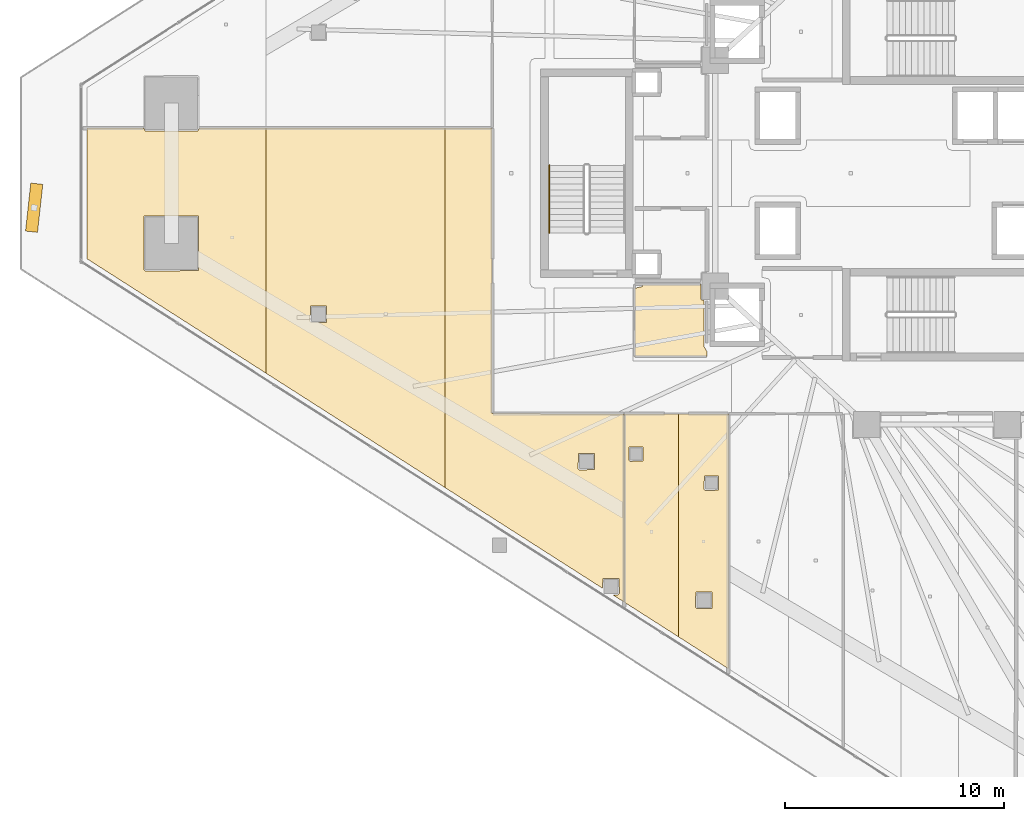
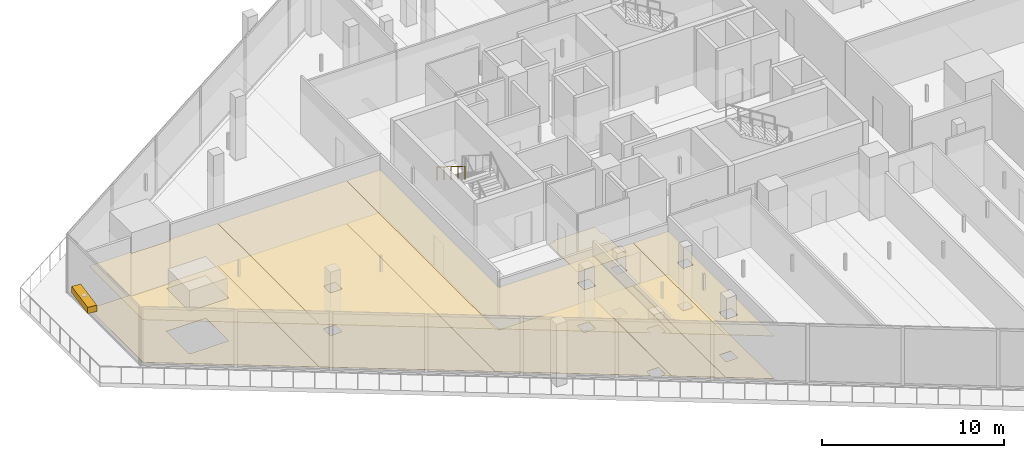
# One storey, part 36 of 44: 11 coverings, 1 railing, 1 shading device.
"""IFC4 building model written with IfcOpenShell, lengths in metres."""

from ifc_helpers import new_model, si_unit, direction, frame, origin, origin_2d, place, context, subcontext, project, spatial, polyline, rectangle, circle, outline, extrude, material, layer, layer_set, type_object, element, save


model = new_model("IFC4")

# Units and contexts
model_context = context("Model", 3, precision=1e-05, world=origin(), true_north=direction((0.0, 1.0)))
body_context = subcontext(model_context, "Body", "Model", "MODEL_VIEW")
ifc_project = project(units=[si_unit("LENGTHUNIT", "METRE"), si_unit("AREAUNIT", "SQUARE_METRE"), si_unit("VOLUMEUNIT", "CUBIC_METRE"), si_unit("PLANEANGLEUNIT", "RADIAN"), si_unit("MASSUNIT", "GRAM", prefix="KILO")], contexts=[model_context])

# Site, building, storey
site_placement = place(None, origin())
site = spatial("IfcSite", under=ifc_project, at=site_placement, CompositionType="ELEMENT")
building_placement = place(site_placement, origin())
building = spatial("IfcBuilding", under=site, at=building_placement, Name="Qorvath Tower", CompositionType="ELEMENT")
storey_placement = place(building_placement, frame((0.0, 0.0, 78.60009765625)))
storey = spatial("IfcBuildingStorey", under=building, at=storey_placement, Name="L17", CompositionType="ELEMENT", Elevation=78.60009765625)

# Coverings
ifc_material_1 = material(Name="Acoustic mineral fibre ceiling tile", Category="gypsum")
ifc_layer_1 = layer(ifc_material_1, 0.030029296875)
ifc_layer_set_1 = layer_set([ifc_layer_1], Name="COV-CEIL")
covering_type_1 = type_object("IfcCoveringType", Name="COV-CEIL", PredefinedType="CEILING", material=ifc_layer_set_1)
covering_1_placement = place(storey_placement, frame((0.0, 0.0, 2.849853515625)))
element("IfcCovering", 1, at=covering_1_placement, inside=storey, type_object=covering_type_1, Name="L17 Suspended Acoustic Ceiling 016", PredefinedType="CEILING", context=body_context, shape_type="SweptSolid", body=[
    extrude(outline(polyline([(-34.64501953125, -10.962890625), (-34.64501953125, -19.546875), (-32.163818359375, -21.132568359375), (-32.163818359375, -10.962890625), (-34.64501953125, -10.962890625)]), holes=[polyline([(-34.439208984375, -13.0673828125), (-34.421630859375, -12.47509765625), (-33.786865234375, -12.47509765625), (-33.786865234375, -13.10986328125), (-34.379150390625, -13.12744140625), (-34.439208984375, -13.0673828125)])]), origin(), (0.0, 0.0, 1.0), 0.030029296875),
])
covering_2_placement = place(storey_placement, frame((0.0, 0.0, 2.849853515625)))
element("IfcCovering", 2, at=covering_2_placement, inside=storey, type_object=covering_type_1, Name="L17 Suspended Acoustic Ceiling 017", PredefinedType="CEILING", context=body_context, shape_type="SweptSolid", body=[
    extrude(outline(polyline([(-32.163818359375, -10.962890625), (-32.163818359375, -21.132568359375), (-29.9013671875, -22.57861328125), (-29.9013671875, -10.962890625), (-32.163818359375, -10.962890625)]), holes=[polyline([(-31.01220703125, -14.3994140625), (-30.99462890625, -13.806884765625), (-30.35986328125, -13.806884765625), (-30.35986328125, -14.441650390625), (-30.9521484375, -14.459228515625), (-31.01220703125, -14.3994140625)]), polyline([(-31.401123046875, -19.785400390625), (-31.383544921875, -19.093017578125), (-30.648681640625, -19.093017578125), (-30.648681640625, -19.827880859375), (-31.341064453125, -19.845458984375), (-31.401123046875, -19.785400390625)])]), origin(), (0.0, 0.0, 1.0), 0.030029296875),
])
covering_3_placement = place(storey_placement, frame((0.0, 0.0, 2.849853515625)))
element("IfcCovering", 3, at=covering_3_placement, inside=storey, type_object=covering_type_1, Name="L17 Suspended Acoustic Ceiling 037", PredefinedType="CEILING", context=body_context, shape_type="SweptSolid", body=[
    extrude(outline(polyline([(-59.140625, 2.056884765625), (-59.140625, -3.890869140625), (-50.9814453125, -9.105712890625), (-50.9814453125, 2.056884765625), (-54.02294921875, 2.056884765625), (-54.0830078125, 1.9345703125), (-56.48291015625, 1.9345703125), (-56.54296875, 2.056884765625), (-59.140625, 2.056884765625)]), holes=[polyline([(-56.54296875, -4.39453125), (-56.525390625, -1.9521484375), (-54.04052734375, -1.9521484375), (-54.04052734375, -4.43701171875), (-56.48291015625, -4.45458984375), (-56.54296875, -4.39453125)])]), origin(), (0.0, 0.0, 1.0), 0.030029296875),
])
covering_4_placement = place(storey_placement, frame((0.0, 0.0, 2.849853515625)))
element("IfcCovering", 4, at=covering_4_placement, inside=storey, type_object=covering_type_1, Name="L17 Suspended Acoustic Ceiling 038", PredefinedType="CEILING", context=body_context, shape_type="SweptSolid", body=[
    extrude(outline(polyline([(-50.9814453125, 2.056884765625), (-50.9814453125, -9.105712890625), (-42.822265625, -14.320556640625), (-42.822265625, 2.056884765625), (-50.9814453125, 2.056884765625)]), holes=[polyline([(-48.96337890625, -6.74951171875), (-48.94580078125, -6.05712890625), (-48.2109375, -6.05712890625), (-48.2109375, -6.7919921875), (-48.9033203125, -6.8095703125), (-48.96337890625, -6.74951171875)])]), origin(), (0.0, 0.0, 1.0), 0.030029296875),
])
covering_5_placement = place(storey_placement, frame((0.0, 0.0, 2.849853515625)))
element("IfcCovering", 5, at=covering_5_placement, inside=storey, type_object=covering_type_1, Name="L17 Suspended Acoustic Ceiling 039", PredefinedType="CEILING", context=body_context, shape_type="SweptSolid", body=[
    extrude(outline(polyline([(-42.822265625, 2.056884765625), (-42.822265625, -14.320556640625), (-35.63671875, -18.9130859375), (-35.619140625, -18.4619140625), (-34.88427734375, -18.4619140625), (-34.86669921875, -19.154296875), (-34.9267578125, -19.21435546875), (-35.165283203125, -19.21435546875), (-34.6630859375, -19.535400390625), (-34.6630859375, -10.962890625), (-40.6630859375, -10.9580078125), (-40.6630859375, 2.056884765625), (-42.822265625, 2.056884765625)]), holes=[polyline([(-36.749755859375, -13.46044921875), (-36.732177734375, -12.76806640625), (-35.997314453125, -12.76806640625), (-35.997314453125, -13.5029296875), (-36.689697265625, -13.5205078125), (-36.749755859375, -13.46044921875)])]), origin(), (0.0, 0.0, 1.0), 0.030029296875),
])
ifc_material_2 = material(Name="Low-VOC modular carpet tile", Category="textile")
ifc_layer_2 = layer(ifc_material_2, 0.014892578125)
ifc_layer_set_2 = layer_set([ifc_layer_2], Name="COV-FLOOR-CPT")
covering_type_2 = type_object("IfcCoveringType", Name="COV-FLOOR-CPT", PredefinedType="FLOORING", material=ifc_layer_set_2)
covering_6_placement = place(storey_placement, origin())
element("IfcCovering", 6, at=covering_6_placement, inside=storey, type_object=covering_type_2, Name="L17 Floor Finish 016", PredefinedType="FLOORING", context=body_context, shape_type="SweptSolid", body=[
    extrude(outline(polyline([(-34.64501953125, -10.962890625), (-34.64501953125, -19.546875), (-32.163818359375, -21.132568359375), (-32.163818359375, -10.962890625), (-34.64501953125, -10.962890625)]), holes=[polyline([(-34.439208984375, -13.0673828125), (-34.421630859375, -12.47509765625), (-33.786865234375, -12.47509765625), (-33.786865234375, -13.10986328125), (-34.379150390625, -13.12744140625), (-34.439208984375, -13.0673828125)])]), origin(), (0.0, 0.0, 1.0), 0.014892578125),
])
covering_7_placement = place(storey_placement, origin())
element("IfcCovering", 7, at=covering_7_placement, inside=storey, type_object=covering_type_2, Name="L17 Floor Finish 017", PredefinedType="FLOORING", context=body_context, shape_type="SweptSolid", body=[
    extrude(outline(polyline([(-32.163818359375, -10.962890625), (-32.163818359375, -21.132568359375), (-29.9013671875, -22.57861328125), (-29.9013671875, -10.962890625), (-32.163818359375, -10.962890625)]), holes=[polyline([(-31.01220703125, -14.3994140625), (-30.99462890625, -13.806884765625), (-30.35986328125, -13.806884765625), (-30.35986328125, -14.441650390625), (-30.9521484375, -14.459228515625), (-31.01220703125, -14.3994140625)]), polyline([(-31.401123046875, -19.785400390625), (-31.383544921875, -19.093017578125), (-30.648681640625, -19.093017578125), (-30.648681640625, -19.827880859375), (-31.341064453125, -19.845458984375), (-31.401123046875, -19.785400390625)])]), origin(), (0.0, 0.0, 1.0), 0.014892578125),
])
covering_8_placement = place(storey_placement, origin())
element("IfcCovering", 8, at=covering_8_placement, inside=storey, type_object=covering_type_2, Name="L17 Floor Finish 037", PredefinedType="FLOORING", context=body_context, shape_type="SweptSolid", body=[
    extrude(outline(polyline([(-59.140625, 2.056884765625), (-59.140625, -3.890869140625), (-50.9814453125, -9.105712890625), (-50.9814453125, 2.056884765625), (-54.02294921875, 2.056884765625), (-54.0830078125, 1.9345703125), (-56.48291015625, 1.9345703125), (-56.54296875, 2.056884765625), (-59.140625, 2.056884765625)]), holes=[polyline([(-56.54296875, -4.39453125), (-56.525390625, -1.9521484375), (-54.04052734375, -1.9521484375), (-54.04052734375, -4.43701171875), (-56.48291015625, -4.45458984375), (-56.54296875, -4.39453125)])]), origin(), (0.0, 0.0, 1.0), 0.014892578125),
])
covering_9_placement = place(storey_placement, origin())
element("IfcCovering", 9, at=covering_9_placement, inside=storey, type_object=covering_type_2, Name="L17 Floor Finish 038", PredefinedType="FLOORING", context=body_context, shape_type="SweptSolid", body=[
    extrude(outline(polyline([(-50.9814453125, 2.056884765625), (-50.9814453125, -9.105712890625), (-42.822265625, -14.320556640625), (-42.822265625, 2.056884765625), (-50.9814453125, 2.056884765625)]), holes=[polyline([(-48.96337890625, -6.74951171875), (-48.94580078125, -6.05712890625), (-48.2109375, -6.05712890625), (-48.2109375, -6.7919921875), (-48.9033203125, -6.8095703125), (-48.96337890625, -6.74951171875)])]), origin(), (0.0, 0.0, 1.0), 0.014892578125),
])
covering_10_placement = place(storey_placement, origin())
element("IfcCovering", 10, at=covering_10_placement, inside=storey, type_object=covering_type_2, Name="L17 Floor Finish 039", PredefinedType="FLOORING", context=body_context, shape_type="SweptSolid", body=[
    extrude(outline(polyline([(-42.822265625, 2.056884765625), (-42.822265625, -14.320556640625), (-35.63671875, -18.9130859375), (-35.619140625, -18.4619140625), (-34.88427734375, -18.4619140625), (-34.86669921875, -19.154296875), (-34.9267578125, -19.21435546875), (-35.165283203125, -19.21435546875), (-34.6630859375, -19.535400390625), (-34.6630859375, -10.962890625), (-40.6630859375, -10.9580078125), (-40.6630859375, 2.056884765625), (-42.822265625, 2.056884765625)]), holes=[polyline([(-36.749755859375, -13.46044921875), (-36.732177734375, -12.76806640625), (-35.997314453125, -12.76806640625), (-35.997314453125, -13.5029296875), (-36.689697265625, -13.5205078125), (-36.749755859375, -13.46044921875)])]), origin(), (0.0, 0.0, 1.0), 0.014892578125),
])
ifc_material_3 = material(Name="Polished epoxy terrazzo flooring", Category="concrete")
ifc_layer_3 = layer(ifc_material_3, 0.02001953125)
ifc_layer_set_3 = layer_set([ifc_layer_3], Name="COV-FLOOR-TRZ")
covering_type_3 = type_object("IfcCoveringType", Name="COV-FLOOR-TRZ", PredefinedType="FLOORING", material=ifc_layer_set_3)
covering_11_placement = place(storey_placement, origin())
element("IfcCovering", 11, at=covering_11_placement, inside=storey, type_object=covering_type_3, Name="L17 Floor Finish 005", PredefinedType="FLOORING", context=body_context, shape_type="SweptSolid", body=[
    extrude(outline(polyline([(-31.159912109375, -5.054931640625), (-33.786865234375, -5.054931640625), (-33.833251953125, -5.166748046875), (-34.175048828125, -5.239990234375), (-34.175048828125, -8.344970703125), (-30.885009765625, -8.344970703125), (-30.885009765625, -8.108154296875), (-31.010009765625, -7.909912109375), (-31.010009765625, -5.81005859375), (-31.159912109375, -5.75), (-31.159912109375, -5.054931640625)])), origin(), (0.0, 0.0, 1.0), 0.014892578125),
])

# Railing
ifc_material_4 = material(Name="Brushed stainless steel AISI 304", Category="steel")
railing_type = type_object("IfcRailingType", Name="RL-STR-HND", PredefinedType="HANDRAIL", material=ifc_material_4)
railing_placement = place(storey_placement, frame((-38.06005859375, 0.360107421875, 2.27490234375)))
element("IfcRailing", 12, at=railing_placement, inside=storey, type_object=railing_type, Name="L17 TS3 stair handrail 2", PredefinedType="HANDRAIL", context=body_context, shape_type="SweptSolid", body=[
    extrude(circle(Radius=0.02392578125, at=origin_2d()), frame((0.0, 0.0, 0.8759765625), z_axis=(0.0, -0.847998304005, 0.529998940003), x_axis=(1.0, 0.0, 0.0)), (0.0, 0.0, 1.0), 3.632080078125),
    extrude(circle(Radius=0.02099609375, at=origin_2d()), origin(), (0.0, 0.0, 1.0), 0.851806640625),
    extrude(circle(Radius=0.02099609375, at=origin_2d()), frame((0.0, -0.77001953125, 0.481201171875)), (0.0, 0.0, 1.0), 0.851806640625),
    extrude(circle(Radius=0.02099609375, at=origin_2d()), frame((0.0, -1.5400390625, 0.96240234375)), (0.0, 0.0, 1.0), 0.851806640625),
    extrude(circle(Radius=0.02099609375, at=origin_2d()), frame((0.0, -2.31005859375, 1.44384765625)), (0.0, 0.0, 1.0), 0.851806640625),
    extrude(circle(Radius=0.02099609375, at=origin_2d()), frame((0.0, -3.080078125, 1.925048828125)), (0.0, 0.0, 1.0), 0.851806640625),
])

# Shading device
ifc_material_5 = material(Name="Anodised bronze-champagne aluminium", Category="aluminium")
shading_device_type = type_object("IfcShadingDeviceType", Name="SD-LOUVRE", PredefinedType="JALOUSIE", material=ifc_material_5)
shading_device_placement = place(storey_placement, frame((-61.537841796875, -1.571044921875, 3.5), z_axis=(0.0, 0.0, 1.0), x_axis=(-0.109463679923, -0.993990796123, 0.0)))
element("IfcShadingDevice", 13, at=shading_device_placement, inside=storey, type_object=shading_device_type, Name="Sinusoidal Wave Louvre Blade L17-01", PredefinedType="NOTDEFINED", context=body_context, shape_type="SweptSolid", body=[
    extrude(rectangle(XDim=2.199951171875, YDim=0.550048828125, at=origin_2d()), origin(), (0.0, 0.0, 1.0), 0.419921875),
])

save(model, "model.ifc")
